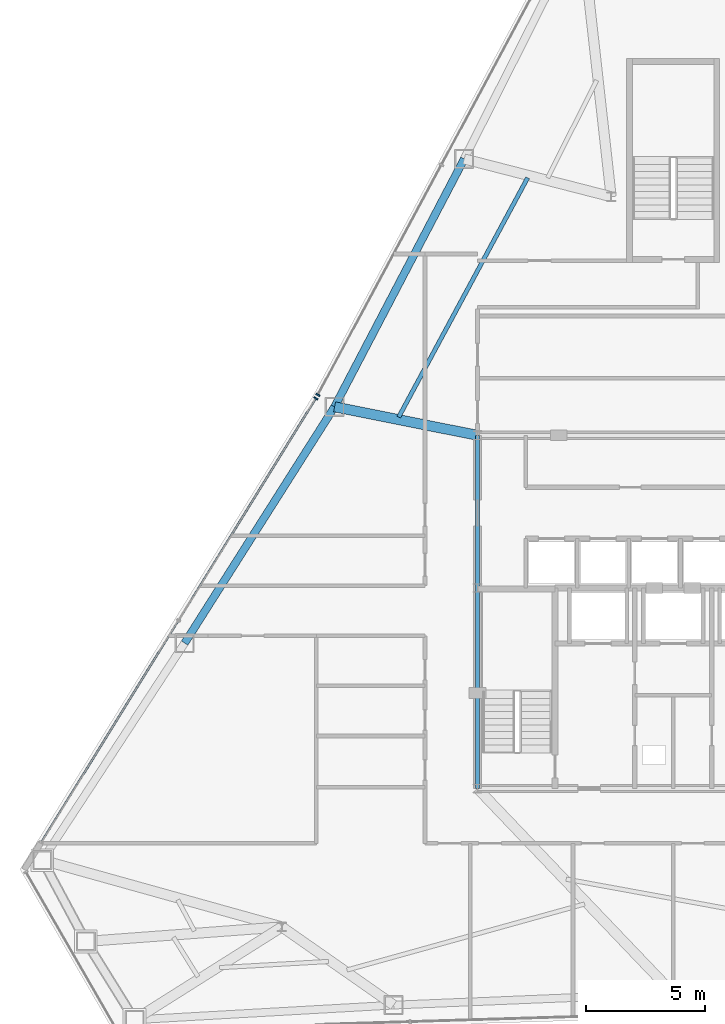
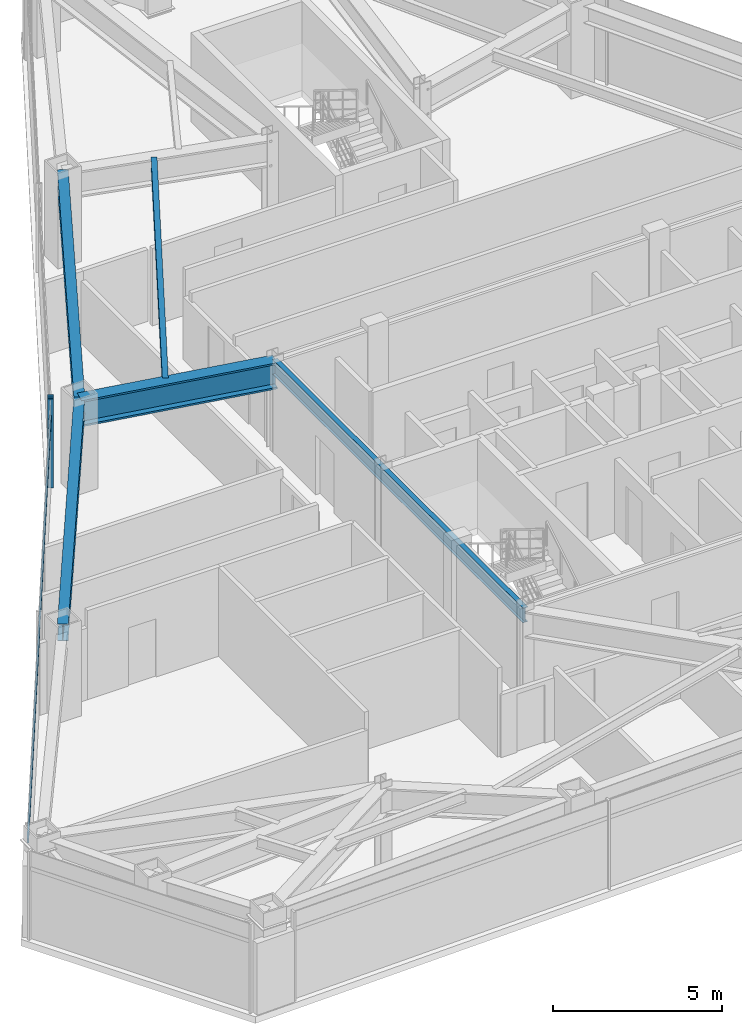
# One storey, part 5 of 13: 5 beams, 3 members, 2 elements without a shape of their own.
"""IFC4 building model written with IfcOpenShell, lengths in metres."""

from ifc_helpers import new_model, si_unit, direction, frame, origin, origin_2d, place, context, subcontext, project, spatial, rectangle, i_section, extrude, source, transform, mapped, material, layer, layer_set, material_profile, profile_set, type_object, type_shapes, element, aggregate, save


model = new_model("IFC4")

# Units and contexts
model_context = context("Model", 3, precision=1e-05, world=origin(), true_north=direction((0.0, 1.0)))
body_context = subcontext(model_context, "Body", "Model", "MODEL_VIEW")
ifc_project = project(units=[si_unit("LENGTHUNIT", "METRE"), si_unit("AREAUNIT", "SQUARE_METRE"), si_unit("VOLUMEUNIT", "CUBIC_METRE"), si_unit("PLANEANGLEUNIT", "RADIAN"), si_unit("MASSUNIT", "GRAM", prefix="KILO")], contexts=[model_context])

# Site, building, storey
site_placement = place(None, origin())
site = spatial("IfcSite", under=ifc_project, at=site_placement, CompositionType="ELEMENT")
building_placement = place(site_placement, origin())
building = spatial("IfcBuilding", under=site, at=building_placement, Name="Varakhsha Concourse Tower", CompositionType="ELEMENT")
storey_placement = place(building_placement, frame((0.0, 0.0, 165.449951171875)))
storey = spatial("IfcBuildingStorey", under=building, at=storey_placement, Name="L47", CompositionType="ELEMENT", Elevation=165.449951171875)

# Beams
ifc_material_1 = material(Name="Structural Steel ASTM A992 Grade 50", Category="steel")
ifc_material_profile_1 = material_profile(ifc_material_1, i_section(OverallWidth=0.177978515625, OverallDepth=0.406982421875, WebThickness=0.008056640625, FlangeThickness=0.012939453125, at=origin_2d()), Name="W16X40")
ifc_profile_set_1 = profile_set([ifc_material_profile_1], Name="Structural Steel ASTM A992 Grade 50")
beam_type_1 = type_object("IfcBeamType", Name="BM-JST-W16X40", PredefinedType="JOIST", material=ifc_profile_set_1)
beam_1_placement = place(storey_placement, frame((33.898681640625, 41.989501953125, 3.006591796875), z_axis=(-0.474404086138, -0.880307198117, 0.0), x_axis=(0.880307198117, -0.474404086138, 0.0)))
element("IfcBeam", 1, at=beam_1_placement, inside=storey, type_object=beam_type_1, Name="BM-TJST-L47-04", PredefinedType="JOIST", context=body_context, shape_type="SweptSolid", body=[
    extrude(i_section(OverallWidth=0.177978515625, OverallDepth=0.406982421875, WebThickness=0.008056640625, FlangeThickness=0.012939453125, at=origin_2d()), origin(), (0.0, 0.0, 1.0), 11.38720703125),
])
ifc_material_profile_2 = material_profile(ifc_material_1, i_section(OverallWidth=0.423095703125, OverallDepth=0.947998046875, WebThickness=0.0380859375, FlangeThickness=0.06396484375, at=origin_2d()), Name="W36X302")
ifc_profile_set_2 = profile_set([ifc_material_profile_2], Name="Structural Steel ASTM A992 Grade 50")
beam_type_2 = type_object("IfcBeamType", Name="BM-OUTR-W36X302", PredefinedType="USERDEFINED", material=ifc_profile_set_2)
beam_2_placement = place(storey_placement, frame((31.800048828125, 31.199951171875, 2.736083984375), z_axis=(-0.980724872564, 0.195393767391, 0.0), x_axis=(-0.195393767391, -0.980724872564, 0.0)))
element("IfcBeam", 2, at=beam_2_placement, inside=storey, type_object=beam_type_2, Name="L47 Radial Floor Girder 05", ObjectType="GIRDER", PredefinedType="USERDEFINED", context=body_context, shape_type="SweptSolid", body=[
    extrude(i_section(OverallWidth=0.423095703125, OverallDepth=0.947998046875, WebThickness=0.0380859375, FlangeThickness=0.06396484375, at=origin_2d()), origin(), (0.0, 0.0, 1.0), 6.10986328125),
])
ifc_material_profile_3 = material_profile(ifc_material_1, i_section(OverallWidth=0.1669921875, OverallDepth=0.534912109375, WebThickness=0.010009765625, FlangeThickness=0.01708984375, at=origin_2d()), Name="W21X57")
ifc_profile_set_3 = profile_set([ifc_material_profile_3], Name="Structural Steel ASTM A992 Grade 50")
beam_type_3 = type_object("IfcBeamType", Name="BM-RAD-W21X57", PredefinedType="BEAM", material=ifc_profile_set_3)
beam_3_placement = place(storey_placement, frame((31.800048828125, 16.39990234375, 2.942626953125), z_axis=(0.0, 1.0, 0.0), x_axis=(-1.0, 0.0, 0.0)))
element("IfcBeam", 3, at=beam_3_placement, inside=storey, type_object=beam_type_3, Name="BM-TCORE-L47-CW", PredefinedType="BEAM", context=body_context, shape_type="SweptSolid", body=[
    extrude(i_section(OverallWidth=0.1669921875, OverallDepth=0.534912109375, WebThickness=0.010009765625, FlangeThickness=0.01708984375, at=origin_2d()), origin(), (0.0, 0.0, 1.0), 14.800048828125),
])
ifc_material_profile_4 = material_profile(ifc_material_1, i_section(OverallWidth=0.323974609375, OverallDepth=0.611083984375, WebThickness=0.012939453125, FlangeThickness=0.01904296875, at=origin_2d()), Name="W24X104")
ifc_profile_set_4 = profile_set([ifc_material_profile_4], Name="Structural Steel ASTM A992 Grade 50")
beam_type_4 = type_object("IfcBeamType", Name="BM-SPAN-W24X104", PredefinedType="SPANDREL", material=ifc_profile_set_4)
beam_4_placement = place(storey_placement, frame((31.240966796875, 42.78271484375, 2.904541015625), z_axis=(-0.463424073091, -0.886136630819, 0.0), x_axis=(0.886136630819, -0.463424073091, 0.0)))
element("IfcBeam", 4, at=beam_4_placement, inside=storey, type_object=beam_type_4, Name="BM-SPAN-L47-04", PredefinedType="SPANDREL", context=body_context, shape_type="SweptSolid", body=[
    extrude(i_section(OverallWidth=0.323974609375, OverallDepth=0.611083984375, WebThickness=0.012939453125, FlangeThickness=0.01904296875, at=origin_2d()), origin(), (0.0, 0.0, 1.0), 11.723876953125),
])
beam_5_placement = place(storey_placement, frame((25.807861328125, 32.393798828125, 2.904541015625), z_axis=(-0.535714805069, -0.844398986043, 0.0), x_axis=(0.844398986043, -0.535714805069, 0.0)))
element("IfcBeam", 5, at=beam_5_placement, inside=storey, type_object=beam_type_4, Name="BM-SPAN-L47-05", PredefinedType="SPANDREL", context=body_context, shape_type="SweptSolid", body=[
    extrude(i_section(OverallWidth=0.323974609375, OverallDepth=0.611083984375, WebThickness=0.012939453125, FlangeThickness=0.01904296875, at=origin_2d()), origin(), (0.0, 0.0, 1.0), 11.7236328125),
])

# Curtain wall, member
ifc_material_2 = material(Name="Anodised Bronze Architectural Aluminium AA 6063-T6", Category="aluminium")
ifc_layer = layer(ifc_material_2, 0.2099609375, Name="CW-SYS-04")
ifc_layer_set = layer_set([ifc_layer], Name="Anodised Bronze Architectural Aluminium AA 6063-T6")
curtain_wall_type = type_object("IfcCurtainWallType", Name="CW-SYS-04", PredefinedType="NOTDEFINED", material=ifc_layer_set)
curtain_wall_1_placement = place(storey_placement, origin())
curtain_wall_1 = element("IfcCurtainWall", 6, at=curtain_wall_1_placement, inside=storey, type_object=curtain_wall_type, Name="L47 Crystal Curtain Wall F2", PredefinedType="NOTDEFINED")
ifc_material_profile_5 = material_profile(ifc_material_2, rectangle(XDim=0.06494140625, YDim=0.179931640625, at=origin_2d()), Name="CWM-180X65")
ifc_profile_set_5 = profile_set([ifc_material_profile_5], Name="Anodised Bronze Architectural Aluminium AA 6063-T6")
member_type_1 = type_object("IfcMemberType", Name="CWM-180X65", PredefinedType="MULLION", material=ifc_profile_set_5)
shared_shape_1 = source(origin(), body_context, "Body", "SweptSolid", [
    extrude(rectangle(XDim=0.06494140625, YDim=0.179931640625, at=origin_2d()), origin(), (0.0, 0.0, 1.0), 3.2099609375),
])
type_shapes(member_type_1, [shared_shape_1])
member_1_placement = place(storey_placement, frame((25.110107421875, 32.89453125, 0.0), z_axis=(0.0, 0.0, 1.0), x_axis=(0.473336578986, 0.880881650958, 0.0)))
member_1 = element("IfcMember", 7, at=member_1_placement, type_object=member_type_1, Name="CW-L47-F2 Mullion 00", PredefinedType="MULLION", context=body_context, shape_type="MappedRepresentation", body=[
    mapped(shared_shape_1, transform((0.0, 0.0, 0.0), scale=1.0)),
])
aggregate(curtain_wall_1, [member_1])

# Curtain wall, members
curtain_wall_2_placement = place(storey_placement, origin())
curtain_wall_2 = element("IfcCurtainWall", 8, at=curtain_wall_2_placement, inside=storey, type_object=curtain_wall_type, Name="L47 Crystal Curtain Wall F3", PredefinedType="NOTDEFINED")
member_2_placement = place(storey_placement, frame((25.025390625, 32.74755859375, 0.0), z_axis=(0.0, 0.0, 1.0), x_axis=(0.526199082126, 0.850361409032, 0.0)))
member_2 = element("IfcMember", 9, at=member_2_placement, type_object=member_type_1, Name="CW-L47-F3 Mullion 02", PredefinedType="MULLION", context=body_context, shape_type="MappedRepresentation", body=[
    mapped(shared_shape_1, transform((0.0, 0.0, 0.0), scale=1.0)),
])
ifc_material_profile_6 = material_profile(ifc_material_2, rectangle(XDim=0.06005859375, YDim=0.139892578125, at=origin_2d()), Name="CWT-140X60")
ifc_profile_set_6 = profile_set([ifc_material_profile_6], Name="Anodised Bronze Architectural Aluminium AA 6063-T6")
member_type_2 = type_object("IfcMemberType", Name="CWT-140X60", PredefinedType="USERDEFINED", material=ifc_profile_set_6)
shared_shape_2 = source(origin(), body_context, "Body", "SweptSolid", [
    extrude(rectangle(XDim=0.06005859375, YDim=0.139892578125, at=origin_2d()), origin(), (0.0, 0.0, 1.0), 21.884033203125),
])
type_shapes(member_type_2, [shared_shape_2])
member_3_placement = place(storey_placement, frame((13.510009765625, 14.13818359375, 2.56005859375), z_axis=(0.526199060722, 0.850361422276, 0.0), x_axis=(-0.850361422276, 0.526199060722, 0.0)))
member_3 = element("IfcMember", 10, at=member_3_placement, type_object=member_type_2, Name="CW-L47-F3 Transom 01", ObjectType="TRANSOM", PredefinedType="USERDEFINED", context=body_context, shape_type="MappedRepresentation", body=[
    mapped(shared_shape_2, transform((0.0, 0.0, 0.0), scale=1.0)),
])
aggregate(curtain_wall_2, [member_2, member_3])

save(model, "model.ifc")
